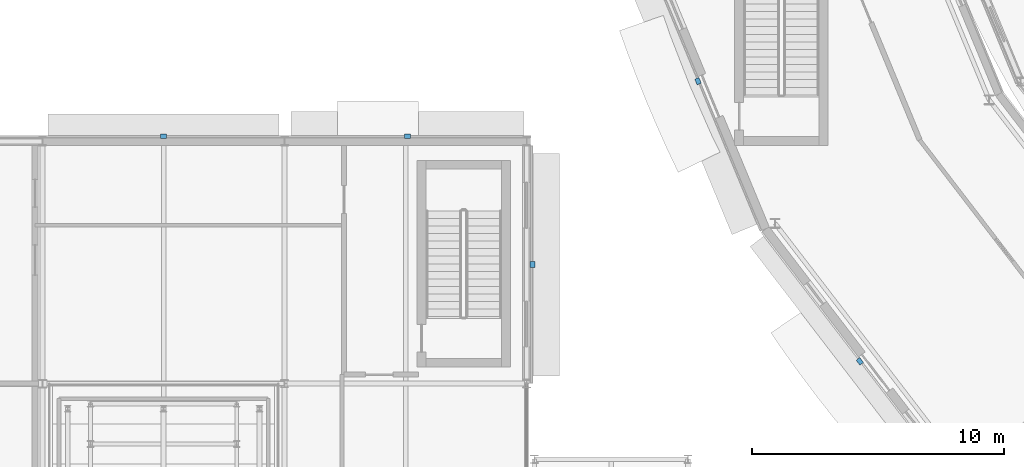
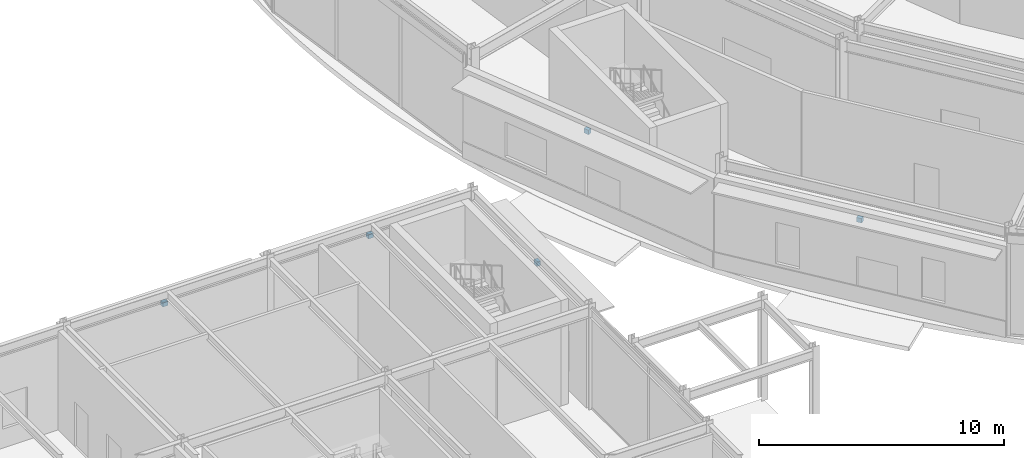
# One storey, part 135 of 168: 5 discrete accessories.
"""IFC4 building model written with IfcOpenShell, lengths in metres."""

from ifc_helpers import new_model, si_unit, direction, frame, origin, origin_2d, place, context, subcontext, project, spatial, rectangle, extrude, material, layer, layer_set, type_object, element, save


model = new_model("IFC4")

# Units and contexts
model_context = context("Model", 3, precision=1e-05, world=origin(), true_north=direction((0.0, 1.0)))
body_context = subcontext(model_context, "Body", "Model", "MODEL_VIEW")
ifc_project = project(units=[si_unit("LENGTHUNIT", "METRE"), si_unit("AREAUNIT", "SQUARE_METRE"), si_unit("VOLUMEUNIT", "CUBIC_METRE"), si_unit("PLANEANGLEUNIT", "RADIAN"), si_unit("MASSUNIT", "GRAM", prefix="KILO")], contexts=[model_context])

# Site, building, storey
site_placement = place(None, origin())
site = spatial("IfcSite", under=ifc_project, at=site_placement, CompositionType="ELEMENT")
building_placement = place(site_placement, origin())
building = spatial("IfcBuilding", under=site, at=building_placement, Name="Almandine Court Research Institute", CompositionType="ELEMENT")
storey_placement = place(building_placement, origin())
storey = spatial("IfcBuildingStorey", under=building, at=storey_placement, Name="L00", CompositionType="ELEMENT", Elevation=0.0)

# Discrete accessories
ifc_material = material(Name="Galvanised Steel Facade Outrigger Bracket", Category="steel")
ifc_layer = layer(ifc_material, 0.219970703125)
ifc_layer_set = layer_set([ifc_layer], Name="Galvanised Steel Facade Outrigger Bracket")
discrete_accessory_type = type_object("IfcDiscreteAccessoryType", Name="Acc-CHJ-BRACKET", PredefinedType="BRACKET", material=ifc_layer_set)
for number, where, z_axis, x_axis, name in (
    (1, (20.39990234375, 35.014892578125, 4.15380859375), (0.0, 0.0, 1.0), (1.0, 0.0, 0.0), "L00 Chhajja Outrigger Bracket 1"),
    (2, (30.0791015625, 35.014892578125, 4.15380859375), (0.0, 0.0, 1.0), (1.0, 0.0, 0.0), "L00 Chhajja Outrigger Bracket 2"),
    (3, (35.030029296875, 29.9150390625, 4.15380859375), (0.0, 0.0, 1.0), (0.0, -1.0, 0.0), "L00 Chhajja Outrigger Bracket 3"),
    (4, (41.593017578125, 37.19091796875, 4.0029296875), (0.0, 0.0, 1.0), (-0.382683432365, 0.923879532511, 0.0), "L00 Chhajja Outrigger Bracket 183"),
    (5, (48.009033203125, 26.080078125, 4.0859375), (0.0, 0.0, 1.0), (-0.608761429009, 0.793353340291, 0.0), "L00 Chhajja Outrigger Bracket 184"),
):
    element("IfcDiscreteAccessory", number, at=place(storey_placement, frame(where, z_axis=z_axis, x_axis=x_axis)), inside=storey, type_object=discrete_accessory_type, Name=name, PredefinedType="BRACKET", context=body_context, shape_type="SweptSolid", body=[
        extrude(rectangle(XDim=0.239990234375, YDim=0.179931640625, at=origin_2d()), origin(), (0.0, 0.0, 1.0), 0.219970703125),
    ])

save(model, "model.ifc")
